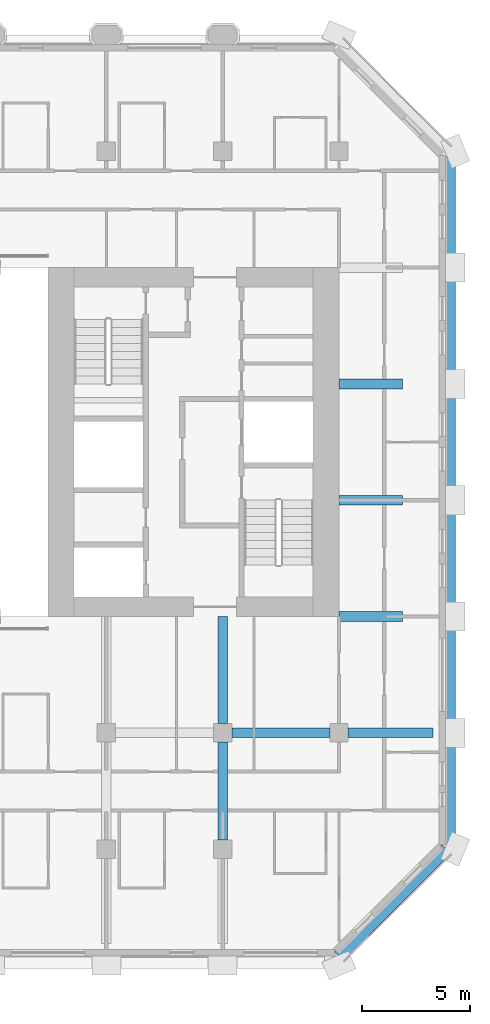
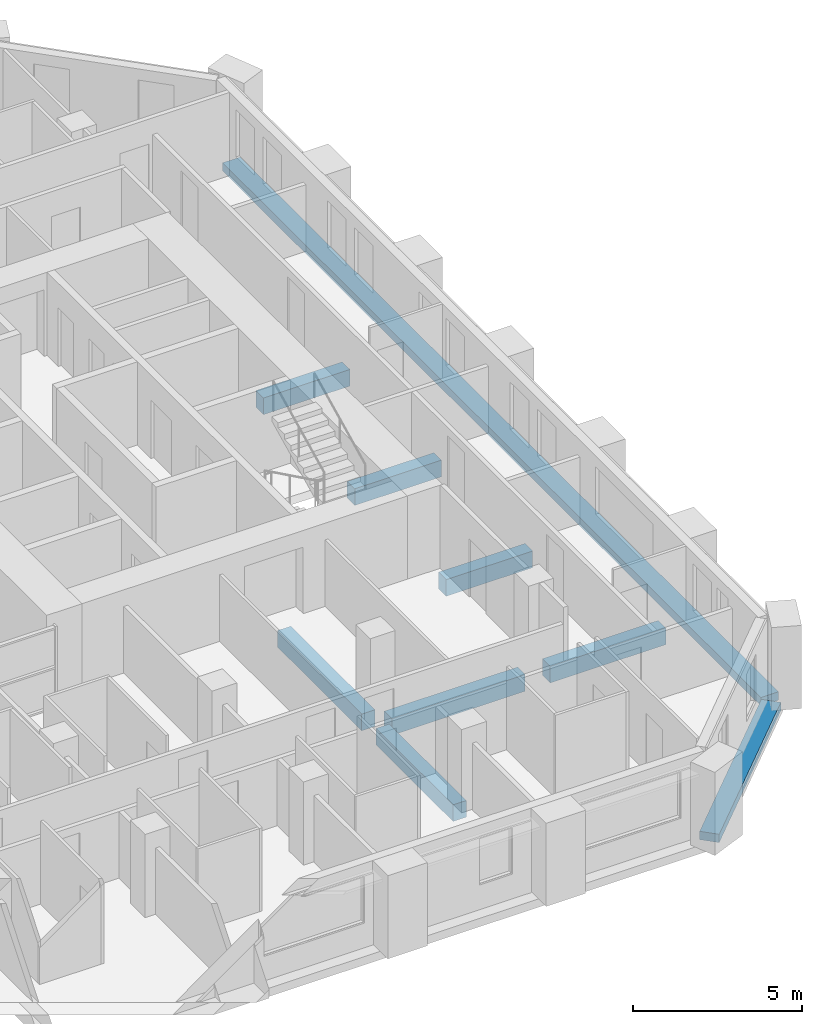
# One storey, part 5 of 16: 9 beams.
"""IFC4 building model written with IfcOpenShell, lengths in metres."""

from ifc_helpers import new_model, si_unit, direction, frame, origin, origin_2d, place, context, subcontext, project, spatial, rectangle, extrude, material, material_profile, profile_set, type_object, element, save


model = new_model("IFC4")

# Units and contexts
model_context = context("Model", 3, precision=1e-05, world=origin(), true_north=direction((0.0, 1.0)))
body_context = subcontext(model_context, "Body", "Model", "MODEL_VIEW")
ifc_project = project(units=[si_unit("LENGTHUNIT", "METRE"), si_unit("AREAUNIT", "SQUARE_METRE"), si_unit("VOLUMEUNIT", "CUBIC_METRE"), si_unit("PLANEANGLEUNIT", "RADIAN"), si_unit("MASSUNIT", "GRAM", prefix="KILO")], contexts=[model_context])

# Site, building, storey
site_placement = place(None, origin())
site = spatial("IfcSite", under=ifc_project, at=site_placement, CompositionType="ELEMENT")
building_placement = place(site_placement, origin())
building = spatial("IfcBuilding", under=site, at=building_placement, Name="Tabaq Tower and Sports Hall", CompositionType="ELEMENT")
storey_placement = place(building_placement, frame((0.0, 0.0, 156.10009765625)))
storey = spatial("IfcBuildingStorey", under=building, at=storey_placement, Name="L36", CompositionType="ELEMENT", Elevation=156.10009765625)

# Beams
ifc_material_1 = material(Name="Concrete C40/50", Category="concrete")
ifc_material_profile_1 = material_profile(ifc_material_1, rectangle(XDim=0.449951171875, YDim=0.60009765625, at=origin_2d()), Name="CB 450x600")
ifc_profile_set_1 = profile_set([ifc_material_profile_1], Name="Concrete C40/50")
beam_type_1 = type_object("IfcBeamType", Name="PT CANTILEVER BEAM CB 450x600 C40/50", PredefinedType="BEAM", material=ifc_profile_set_1)
beam_1_placement = place(storey_placement, frame((47.574951171875, 10.800048828125, -0.60009765625), z_axis=(-1.0, 0.0, 0.0), x_axis=(0.0, -1.0, 0.0)))
element("IfcBeam", 1, at=beam_1_placement, inside=storey, type_object=beam_type_1, Name="Cantilever Beam L36 E2 span 1", PredefinedType="BEAM", context=body_context, shape_type="SweptSolid", body=[
    extrude(rectangle(XDim=0.449951171875, YDim=0.60009765625, at=origin_2d()), origin(), (0.0, 0.0, 1.0), 3.949951171875),
])
beam_2_placement = place(storey_placement, frame((42.77490234375, 10.800048828125, -0.60009765625), z_axis=(-1.0, 0.0, 0.0), x_axis=(0.0, -1.0, 0.0)))
element("IfcBeam", 2, at=beam_2_placement, inside=storey, type_object=beam_type_1, Name="Cantilever Beam L36 E2 span 2", PredefinedType="BEAM", context=body_context, shape_type="SweptSolid", body=[
    extrude(rectangle(XDim=0.449951171875, YDim=0.60009765625, at=origin_2d()), origin(), (0.0, 0.0, 1.0), 4.5498046875),
])
for number, where, z_axis, x_axis, name in (
    (3, (46.14990234375, 16.199951171875, -0.60009765625), (-1.0, 0.0, 0.0), (0.0, -1.0, 0.0), "Cantilever Beam L36 E3 span 1"),
    (4, (46.14990234375, 21.60009765625, -0.60009765625), (-1.0, 0.0, 0.0), (0.0, -1.0, 0.0), "Cantilever Beam L36 E4 span 1"),
    (5, (46.14990234375, 27.0, -0.60009765625), (-1.0, 0.0, 0.0), (0.0, -1.0, 0.0), "Cantilever Beam L36 E5 span 1"),
):
    element("IfcBeam", number, at=place(storey_placement, frame(where, z_axis=z_axis, x_axis=x_axis)), inside=storey, type_object=beam_type_1, Name=name, PredefinedType="BEAM", context=body_context, shape_type="SweptSolid", body=[
        extrude(rectangle(XDim=0.449951171875, YDim=0.60009765625, at=origin_2d()), origin(), (0.0, 0.0, 1.0), 2.949951171875),
    ])
beam_3_placement = place(storey_placement, frame((37.800048828125, 5.824951171875, -0.60009765625), z_axis=(0.0, 1.0, 0.0), x_axis=(-1.0, 0.0, 0.0)))
element("IfcBeam", 6, at=beam_3_placement, inside=storey, type_object=beam_type_1, Name="Cantilever Beam L36 S7 span 2", PredefinedType="BEAM", context=body_context, shape_type="SweptSolid", body=[
    extrude(rectangle(XDim=0.449951171875, YDim=0.60009765625, at=origin_2d()), origin(), (0.0, 0.0, 1.0), 4.550048828125),
])
beam_4_placement = place(storey_placement, frame((37.800048828125, 11.22509765625, -0.60009765625), z_axis=(0.0, 1.0, 0.0), x_axis=(-1.0, 0.0, 0.0)))
element("IfcBeam", 7, at=beam_4_placement, inside=storey, type_object=beam_type_1, Name="Cantilever Beam L36 S7 span 3", PredefinedType="BEAM", context=body_context, shape_type="SweptSolid", body=[
    extrude(rectangle(XDim=0.449951171875, YDim=0.60009765625, at=origin_2d()), origin(), (0.0, 0.0, 1.0), 4.974853515625),
])
ifc_material_2 = material(Name="Concrete C40/50", Category="concrete")
ifc_material_profile_2 = material_profile(ifc_material_2, rectangle(XDim=0.60009765625, YDim=0.300048828125, at=origin_2d()), Name="EB 600x300")
ifc_profile_set_2 = profile_set([ifc_material_profile_2], Name="Concrete C40/50")
beam_type_2 = type_object("IfcBeamType", Name="PT EDGE BEAM EB 600x300 C40/50", PredefinedType="SPANDREL", material=ifc_profile_set_2)
beam_5_placement = place(storey_placement, frame((43.198974609375, 0.42333984375, -0.150146484375), z_axis=(0.707106781187, 0.707106781187, 0.0), x_axis=(-0.707106781187, 0.707106781187, 0.0)))
element("IfcBeam", 8, at=beam_5_placement, inside=storey, type_object=beam_type_2, Name="Edge Beam L36 2", PredefinedType="SPANDREL", context=body_context, shape_type="SweptSolid", body=[
    extrude(rectangle(XDim=0.60009765625, YDim=0.300048828125, at=origin_2d()), origin(), (0.0, 0.0, 1.0), 7.03955078125),
])
beam_6_placement = place(storey_placement, frame((48.300048828125, 5.698486328125, -0.150146484375), z_axis=(0.0, 1.0, 0.0), x_axis=(-1.0, 0.0, 0.0)))
element("IfcBeam", 9, at=beam_6_placement, inside=storey, type_object=beam_type_2, Name="Edge Beam L36 3", PredefinedType="SPANDREL", context=body_context, shape_type="SweptSolid", body=[
    extrude(rectangle(XDim=0.60009765625, YDim=0.300048828125, at=origin_2d()), origin(), (0.0, 0.0, 1.0), 31.802978515625),
])

save(model, "model.ifc")
